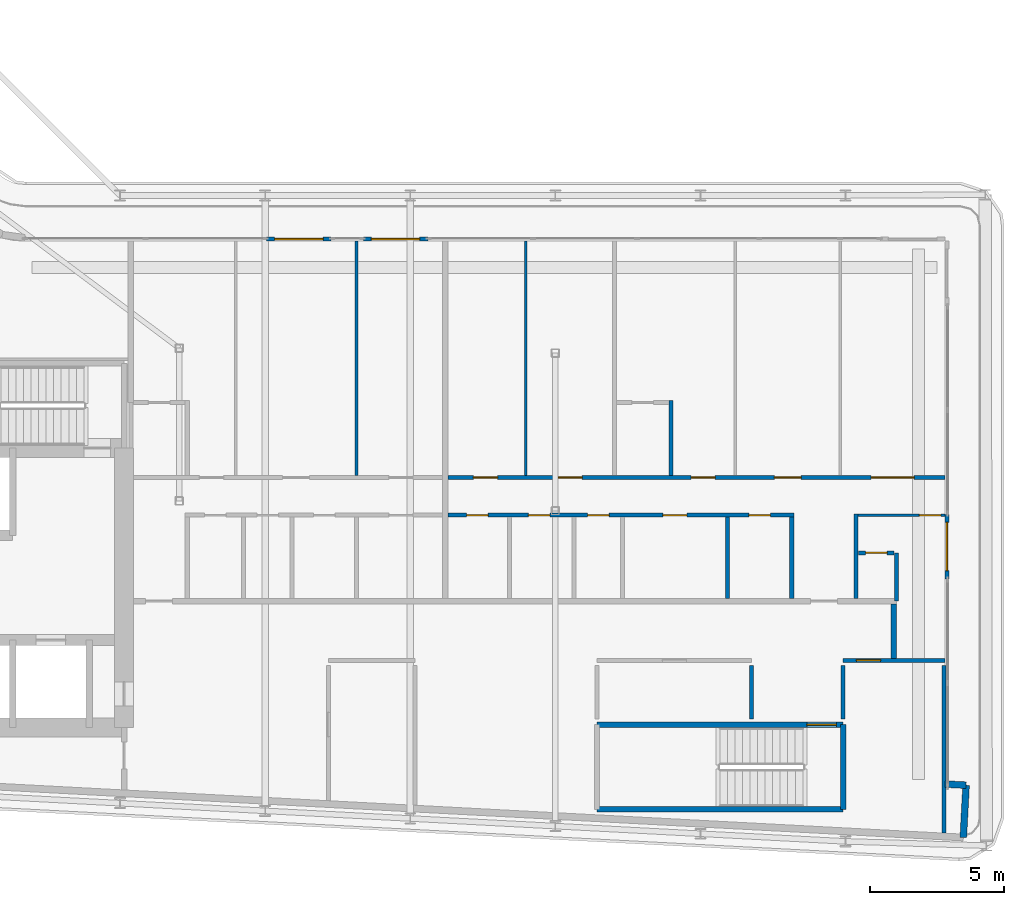
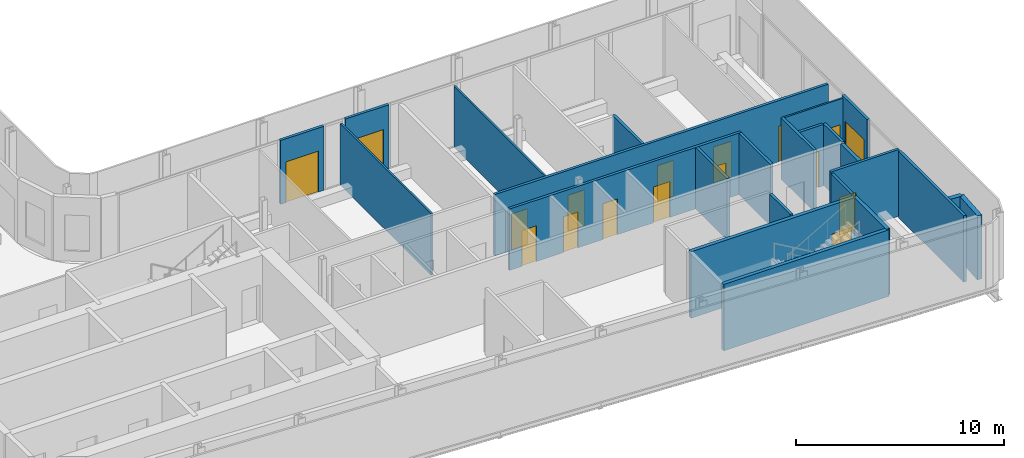
# One storey, part 12 of 23: 24 walls, 17 doors, 17 openings.
"""IFC4 building model written with IfcOpenShell, lengths in metres."""

from ifc_helpers import new_model, si_unit, direction, frame, frame_2d, origin, place, context, subcontext, project, spatial, rectangle, extrude, source, transform, mapped, material, layer, layer_set, type_object, element, fill, save


model = new_model("IFC4")

# Units and contexts
model_context = context("Model", 3, precision=1e-05, world=origin(), true_north=direction((0.0, 1.0)))
body_context = subcontext(model_context, "Body", "Model", "MODEL_VIEW")
ifc_project = project(units=[si_unit("LENGTHUNIT", "METRE"), si_unit("AREAUNIT", "SQUARE_METRE"), si_unit("VOLUMEUNIT", "CUBIC_METRE"), si_unit("PLANEANGLEUNIT", "RADIAN"), si_unit("MASSUNIT", "GRAM", prefix="KILO")], contexts=[model_context])

# Site, building, storey
site_placement = place(None, origin())
site = spatial("IfcSite", under=ifc_project, at=site_placement, CompositionType="ELEMENT")
building_placement = place(site_placement, origin())
building = spatial("IfcBuilding", under=site, at=building_placement, Name="Kheshtan School and Residences Tower", CompositionType="ELEMENT")
storey_placement = place(building_placement, frame((0.0, 0.0, 259.10009765625)))
storey = spatial("IfcBuildingStorey", under=building, at=storey_placement, Name="L61", CompositionType="ELEMENT", Elevation=259.10009765625)

# Walls
ifc_material_1 = material(Name="Gypsum board on steel studs with fire boards", Category="steel")
ifc_layer_1 = layer(ifc_material_1, 0.199951171875)
ifc_layer_set_1 = layer_set([ifc_layer_1], Name="Corridor wall 200")
wall_type_1 = type_object("IfcWallType", Name="Corridor wall 200", PredefinedType="PARTITIONING", material=ifc_layer_set_1)
wall_1_placement = place(storey_placement, frame((81.800048828125, 28.3740234375, 0.0), z_axis=(0.0, 0.0, 1.0), x_axis=(0.0, 1.0, 0.0)))
element("IfcWall", 1, at=wall_1_placement, inside=storey, type_object=wall_type_1, Name="Partition L61-061", PredefinedType="PARTITIONING", context=body_context, shape_type="SweptSolid", body=[
    extrude(rectangle(XDim=2.02587890625, YDim=0.199951171875, at=frame_2d((1.012939453125, 0.0))), origin(), (0.0, 0.0, 1.0), 3.599853515625),
])
ifc_material_2 = material(Name="Concrete C40/50 with ceramic cladding and mineral wool insulation", Category="concrete")
ifc_layer_2 = layer(ifc_material_2, 0.25)
ifc_layer_set_2 = layer_set([ifc_layer_2], Name="External wall 250 ceramic clad")
wall_type_2 = type_object("IfcWallType", Name="External wall 250 ceramic clad", PredefinedType="SOLIDWALL", material=ifc_layer_set_2)
wall_2_placement = place(storey_placement, frame((83.70703125, 23.69189453125, 0.0), z_axis=(0.0, 0.0, 1.0), x_axis=(0.998561284263, -0.053622398031, 0.0)))
element("IfcWall", 2, at=wall_2_placement, inside=storey, type_object=wall_type_2, Name="External wall L61 14", PredefinedType="SOLIDWALL", context=body_context, shape_type="SweptSolid", body=[
    extrude(rectangle(XDim=0.783203125, YDim=0.25, at=frame_2d((0.3916015625, 0.0))), origin(), (0.0, 0.0, 1.0), 3.75),
])
wall_3_placement = place(storey_placement, frame((84.489013671875, 23.64990234375, 0.0), z_axis=(0.0, 0.0, 1.0), x_axis=(-0.052841433274, -0.998602915542, 0.0)))
element("IfcWall", 3, at=wall_3_placement, inside=storey, type_object=wall_type_2, Name="External wall L61 15", PredefinedType="SOLIDWALL", context=body_context, shape_type="SweptSolid", body=[
    extrude(rectangle(XDim=1.94970703125, YDim=0.25, at=frame_2d((0.974853515625, 0.0))), origin(), (0.0, 0.0, 1.0), 3.75),
])

# Wall, opening, door
ifc_material_3 = material(Name="Aluminium frame wall with insulated infill", Category="aluminium")
ifc_layer_3 = layer(ifc_material_3, 0.14990234375)
ifc_layer_set_3 = layer_set([ifc_layer_3], Name="Glazing frame wall 150")
wall_type_3 = type_object("IfcWallType", Name="Glazing frame wall 150", PredefinedType="SOLIDWALL", material=ifc_layer_set_3)
wall_4_placement = place(storey_placement, frame((58.452880859375, 43.97509765625, 0.0), z_axis=(0.0, 0.0, 1.0), x_axis=(1.0, 0.0, 0.0)))
wall_4 = element("IfcWall", 4, at=wall_4_placement, inside=storey, type_object=wall_type_3, Name="Balcony door wall L61 12.1", PredefinedType="SOLIDWALL", context=body_context, shape_type="SweptSolid", body=[
    extrude(rectangle(XDim=2.400146484375, YDim=0.14990234375, at=frame_2d((1.2001953125, 0.0))), origin(), (0.0, 0.0, 1.0), 3.75),
])
opening_1_placement = place(wall_4_placement, frame((0.300048828125, 0.0, 0.0)))
opening_1 = element("IfcOpeningElement", 5, at=opening_1_placement, cuts=wall_4, Name="Opening BD", PredefinedType="OPENING", context=body_context, shape_type="SweptSolid", body=[
    extrude(rectangle(XDim=1.800048828125, YDim=2.39990234375, at=frame_2d((0.89990234375, 1.199951171875))), frame((0.0, 0.0849609375, 0.0), z_axis=(0.0, -1.0, 0.0), x_axis=(1.0, 0.0, 0.0)), (0.0, 0.0, 1.0), 0.169921875),
])
ifc_material_4 = material(Name="Clear low-e glass in thermally broken aluminium frame", Category="aluminium")
door_type_1 = type_object("IfcDoorType", Name="Balcony sliding door", OperationType="SLIDING_TO_LEFT", PredefinedType="DOOR", material=ifc_material_4)
shared_shape_1 = source(origin(), body_context, "Body", "SweptSolid", [
    extrude(rectangle(XDim=1.800048828125, YDim=2.39990234375, at=frame_2d((0.89990234375, 1.199951171875))), frame((0.0, 0.02490234375, 0.0), z_axis=(0.0, -1.0, 0.0), x_axis=(1.0, 0.0, 0.0)), (0.0, 0.0, 1.0), 0.050048828125),
])
door_1_placement = place(opening_1_placement, origin())
door_1 = element("IfcDoor", 6, at=door_1_placement, inside=storey, type_object=door_type_1, Name="Balcony door L61 12.1", OperationType="SLIDING_TO_LEFT", OverallHeight=2.39990234375, OverallWidth=1.800048828125, PredefinedType="DOOR", context=body_context, shape_type="MappedRepresentation", body=[
    mapped(shared_shape_1, transform((0.0, 0.0, 0.0), x_axis=(1.0, 0.0, 0.0), y_axis=(0.0, 1.0, 0.0), z_axis=(0.0, 0.0, 1.0), scale=1.0)),
])
fill(opening_1, door_1)

wall_5_placement = place(storey_placement, frame((62.052978515625, 43.97509765625, 0.0), z_axis=(0.0, 0.0, 1.0), x_axis=(1.0, 0.0, 0.0)))
wall_5 = element("IfcWall", 7, at=wall_5_placement, inside=storey, type_object=wall_type_3, Name="Balcony door wall L61 12.2", PredefinedType="SOLIDWALL", context=body_context, shape_type="SweptSolid", body=[
    extrude(rectangle(XDim=2.39990234375, YDim=0.14990234375, at=frame_2d((1.199951171875, 0.0))), origin(), (0.0, 0.0, 1.0), 3.75),
])
opening_2_placement = place(wall_5_placement, frame((0.300048828125, 0.0, 0.0)))
opening_2 = element("IfcOpeningElement", 8, at=opening_2_placement, cuts=wall_5, Name="Opening BD", PredefinedType="OPENING", context=body_context, shape_type="SweptSolid", body=[
    extrude(rectangle(XDim=1.800048828125, YDim=2.39990234375, at=frame_2d((0.89990234375, 1.199951171875))), frame((0.0, 0.0849609375, 0.0), z_axis=(0.0, -1.0, 0.0), x_axis=(1.0, 0.0, 0.0)), (0.0, 0.0, 1.0), 0.169921875),
])
door_2_placement = place(opening_2_placement, origin())
door_2 = element("IfcDoor", 9, at=door_2_placement, inside=storey, type_object=door_type_1, Name="Balcony door L61 12.2", OperationType="SLIDING_TO_LEFT", OverallHeight=2.39990234375, OverallWidth=1.800048828125, PredefinedType="DOOR", context=body_context, shape_type="MappedRepresentation", body=[
    mapped(shared_shape_1, transform((0.0, 0.0, 0.0), x_axis=(1.0, 0.0, 0.0), y_axis=(0.0, 1.0, 0.0), z_axis=(0.0, 0.0, 1.0), scale=1.0)),
])
fill(opening_2, door_2)

wall_6_placement = place(storey_placement, frame((83.77490234375, 33.73291015625, 0.0), z_axis=(0.0, 0.0, 1.0), x_axis=(0.0, -1.0, 0.0)))
wall_6 = element("IfcWall", 10, at=wall_6_placement, inside=storey, type_object=wall_type_3, Name="Balcony door wall L61 13.2", PredefinedType="SOLIDWALL", context=body_context, shape_type="SweptSolid", body=[
    extrude(rectangle(XDim=2.39892578125, YDim=0.14990234375, at=frame_2d((1.199462890625, 0.0))), origin(), (0.0, 0.0, 1.0), 3.75),
])
opening_3_placement = place(wall_6_placement, frame((0.300048828125, 0.0, 0.0)))
opening_3 = element("IfcOpeningElement", 11, at=opening_3_placement, cuts=wall_6, Name="Opening BD", PredefinedType="OPENING", context=body_context, shape_type="SweptSolid", body=[
    extrude(rectangle(XDim=1.800048828125, YDim=2.39990234375, at=frame_2d((0.89990234375, 1.199951171875))), frame((0.0, 0.0849609375, 0.0), z_axis=(0.0, -1.0, 0.0), x_axis=(1.0, 0.0, 0.0)), (0.0, 0.0, 1.0), 0.169921875),
])
door_3_placement = place(opening_3_placement, origin())
door_3 = element("IfcDoor", 12, at=door_3_placement, inside=storey, type_object=door_type_1, Name="Balcony door L61 13.2", OperationType="SLIDING_TO_LEFT", OverallHeight=2.39990234375, OverallWidth=1.800048828125, PredefinedType="DOOR", context=body_context, shape_type="MappedRepresentation", body=[
    mapped(shared_shape_1, transform((0.0, 0.0, 0.0), x_axis=(1.0, 0.0, 0.0), y_axis=(0.0, 1.0, 0.0), z_axis=(0.0, 0.0, 1.0), scale=1.0)),
])
fill(opening_3, door_3)

# Walls
ifc_material_5 = material(Name="Gypsum board on steel studs", Category="steel")
ifc_layer_4 = layer(ifc_material_5, 0.10009765625)
ifc_layer_set_4 = layer_set([ifc_layer_4], Name="Gypsum partition 100")
wall_type_4 = type_object("IfcWallType", Name="Gypsum partition 100", PredefinedType="PARTITIONING", material=ifc_layer_set_4)
for number, where, z_axis, x_axis, name in (
    (13, (61.800048828125, 35.175048828125, 0.0), (0.0, 0.0, 1.0), (0.0, 1.0, 0.0), "Partition L61-043"),
    (14, (68.10009765625, 35.175048828125, 0.0), (0.0, 0.0, 1.0), (0.0, 1.0, 0.0), "Partition L61-048"),
):
    element("IfcWall", number, at=place(storey_placement, frame(where, z_axis=z_axis, x_axis=x_axis)), inside=storey, type_object=wall_type_4, Name=name, PredefinedType="PARTITIONING", context=body_context, shape_type="SweptSolid", body=[
        extrude(rectangle(XDim=8.724853515625, YDim=0.10009765625, at=frame_2d((4.3623046875, 0.0))), origin(), (0.0, 0.0, 1.0), 3.599853515625),
    ])

# Wall, opening, door
wall_7_placement = place(storey_placement, frame((80.47509765625, 33.699951171875, 0.0), z_axis=(0.0, 0.0, 1.0), x_axis=(1.0, 0.0, 0.0)))
wall_7 = element("IfcWall", 15, at=wall_7_placement, inside=storey, type_object=wall_type_4, Name="Partition L61-060", PredefinedType="PARTITIONING", context=body_context, shape_type="SweptSolid", body=[
    extrude(rectangle(XDim=3.224853515625, YDim=0.10009765625, at=frame_2d((1.6123046875, 0.0))), origin(), (0.0, 0.0, 1.0), 3.599853515625),
])
opening_4_placement = place(wall_7_placement, frame((2.27490234375, 0.0, 0.0)))
opening_4 = element("IfcOpeningElement", 16, at=opening_4_placement, cuts=wall_7, Name="Opening D61-019", PredefinedType="OPENING", context=body_context, shape_type="SweptSolid", body=[
    extrude(rectangle(XDim=0.800048828125, YDim=2.10009765625, at=frame_2d((0.39990234375, 1.050048828125))), frame((0.0, 0.06005859375, 0.0), z_axis=(0.0, -1.0, 0.0), x_axis=(1.0, 0.0, 0.0)), (0.0, 0.0, 1.0), 0.1201171875),
])
ifc_material_6 = material(Name="Veneered timber door leaf", Category="wood")
door_type_2 = type_object("IfcDoorType", Name="Door 800 x 2100", OperationType="SINGLE_SWING_LEFT", PredefinedType="DOOR", material=ifc_material_6)
shared_shape_2 = source(origin(), body_context, "Body", "SweptSolid", [
    extrude(rectangle(XDim=0.800048828125, YDim=2.10009765625, at=frame_2d((0.39990234375, 1.050048828125))), frame((0.0, 0.02490234375, 0.0), z_axis=(0.0, -1.0, 0.0), x_axis=(1.0, 0.0, 0.0)), (0.0, 0.0, 1.0), 0.050048828125),
])
door_4_placement = place(opening_4_placement, origin())
door_4 = element("IfcDoor", 17, at=door_4_placement, inside=storey, type_object=door_type_2, Name="Door D61-019", OperationType="SINGLE_SWING_LEFT", OverallHeight=2.10009765625, OverallWidth=0.800048828125, PredefinedType="DOOR", context=body_context, shape_type="MappedRepresentation", body=[
    mapped(shared_shape_2, transform((0.0, 0.0, 0.0), x_axis=(1.0, 0.0, 0.0), y_axis=(0.0, 1.0, 0.0), z_axis=(0.0, 0.0, 1.0), scale=1.0)),
])
fill(opening_4, door_4)

# Wall
ifc_material_7 = material(Name="Fire-board shaft wall system")
ifc_layer_5 = layer(ifc_material_7, 0.14990234375)
ifc_layer_set_5 = layer_set([ifc_layer_5], Name="Service room wall 150")
wall_type_5 = type_object("IfcWallType", Name="Service room wall 150", PredefinedType="PARTITIONING", material=ifc_layer_set_5)
wall_8_placement = place(storey_placement, frame((76.510009765625, 26.1201171875, 0.0), z_axis=(0.0, 0.0, 1.0), x_axis=(0.0, 1.0, 0.0)))
element("IfcWall", 18, at=wall_8_placement, inside=storey, type_object=wall_type_5, Name="Service room wall", PredefinedType="PARTITIONING", context=body_context, shape_type="SweptSolid", body=[
    extrude(rectangle(XDim=1.98486328125, YDim=0.14990234375, at=frame_2d((0.992431640625, 0.0))), origin(), (0.0, 0.0, 1.0), 3.89990234375),
])

# Wall, opening, door
wall_9_placement = place(storey_placement, frame((79.909912109375, 28.300048828125, 0.0), z_axis=(0.0, 0.0, 1.0), x_axis=(1.0, 0.0, 0.0)))
wall_9 = element("IfcWall", 19, at=wall_9_placement, inside=storey, type_object=wall_type_5, Name="Service room wall", PredefinedType="PARTITIONING", context=body_context, shape_type="SweptSolid", body=[
    extrude(rectangle(XDim=3.7880859375, YDim=0.14990234375, at=frame_2d((1.89404296875, 0.0))), origin(), (0.0, 0.0, 1.0), 3.89990234375),
])
opening_5_placement = place(wall_9_placement, frame((0.4951171875, 0.0, 0.0)))
opening_5 = element("IfcOpeningElement", 20, at=opening_5_placement, cuts=wall_9, Name="Opening SR90", PredefinedType="OPENING", context=body_context, shape_type="SweptSolid", body=[
    extrude(rectangle(XDim=0.89990234375, YDim=2.199951171875, at=frame_2d((0.449951171875, 1.10009765625))), frame((0.0, 0.0849609375, 0.0), z_axis=(0.0, -1.0, 0.0), x_axis=(1.0, 0.0, 0.0)), (0.0, 0.0, 1.0), 0.169921875),
])
ifc_material_8 = material(Name="Steel door leaf, galvanised", Category="steel")
door_type_3 = type_object("IfcDoorType", Name="Service room door 900 steel 90 min", OperationType="SINGLE_SWING_LEFT", PredefinedType="DOOR", material=ifc_material_8)
shared_shape_3 = source(origin(), body_context, "Body", "SweptSolid", [
    extrude(rectangle(XDim=0.89990234375, YDim=2.199951171875, at=frame_2d((0.449951171875, 1.10009765625))), frame((0.0, 0.02490234375, 0.0), z_axis=(0.0, -1.0, 0.0), x_axis=(1.0, 0.0, 0.0)), (0.0, 0.0, 1.0), 0.050048828125),
])
door_5_placement = place(opening_5_placement, origin())
door_5 = element("IfcDoor", 21, at=door_5_placement, inside=storey, type_object=door_type_3, Name="Service room door", OperationType="SINGLE_SWING_RIGHT", OverallHeight=2.199951171875, OverallWidth=0.89990234375, PredefinedType="DOOR", context=body_context, shape_type="MappedRepresentation", body=[
    mapped(shared_shape_3, transform((0.0, 0.0, 0.0), x_axis=(1.0, 0.0, 0.0), y_axis=(0.0, 1.0, 0.0), z_axis=(0.0, 0.0, 1.0), scale=1.0)),
])
fill(opening_5, door_5)

# Walls
wall_10_placement = place(storey_placement, frame((79.909912109375, 26.1201171875, 0.0), z_axis=(0.0, 0.0, 1.0), x_axis=(0.0, 1.0, 0.0)))
element("IfcWall", 22, at=wall_10_placement, inside=storey, type_object=wall_type_5, Name="Service room wall", PredefinedType="PARTITIONING", context=body_context, shape_type="SweptSolid", body=[
    extrude(rectangle(XDim=1.98486328125, YDim=0.14990234375, at=frame_2d((0.992431640625, 0.0))), origin(), (0.0, 0.0, 1.0), 3.89990234375),
])
wall_11_placement = place(storey_placement, frame((83.669921875, 21.867919921875, 0.0), z_axis=(0.0, 0.0, 1.0), x_axis=(0.0, 1.0, 0.0)))
element("IfcWall", 23, at=wall_11_placement, inside=storey, type_object=wall_type_5, Name="Service room wall", PredefinedType="PARTITIONING", context=body_context, shape_type="SweptSolid", body=[
    extrude(rectangle(XDim=6.237060546875, YDim=0.14990234375, at=frame_2d((3.11865234375, 0.0))), origin(), (0.0, 0.0, 1.0), 3.89990234375),
])
ifc_material_9 = material(Name="Concrete C40/50", Category="concrete")
ifc_layer_6 = layer(ifc_material_9, 0.199951171875)
ifc_layer_set_6 = layer_set([ifc_layer_6], Name="Stair enclosure wall 200 Concrete C40/50")
wall_type_6 = type_object("IfcWallType", Name="Stair enclosure wall 200 Concrete C40/50", PredefinedType="SHEAR", material=ifc_layer_set_6)
wall_12_placement = place(storey_placement, frame((70.75, 22.75, 0.0), z_axis=(0.0, 0.0, 1.0), x_axis=(1.0, 0.0, 0.0)))
element("IfcWall", 24, at=wall_12_placement, inside=storey, type_object=wall_type_6, Name="Stair enclosure wall ST5", PredefinedType="SHEAR", context=body_context, shape_type="SweptSolid", body=[
    extrude(rectangle(XDim=9.159912109375, YDim=0.199951171875, at=frame_2d((4.580078125, 0.0))), origin(), (0.0, 0.0, 1.0), 3.89990234375),
])

# Wall, opening, door
wall_13_placement = place(storey_placement, frame((70.75, 25.89990234375, 0.0), z_axis=(0.0, 0.0, 1.0), x_axis=(1.0, 0.0, 0.0)))
wall_13 = element("IfcWall", 25, at=wall_13_placement, inside=storey, type_object=wall_type_6, Name="Stair enclosure wall ST5", PredefinedType="SHEAR", context=body_context, shape_type="SweptSolid", body=[
    extrude(rectangle(XDim=9.159912109375, YDim=0.199951171875, at=frame_2d((4.580078125, 0.0))), origin(), (0.0, 0.0, 1.0), 3.89990234375),
])
opening_6_placement = place(wall_13_placement, frame((7.81005859375, 0.0, 0.0)))
opening_6 = element("IfcOpeningElement", 26, at=opening_6_placement, cuts=wall_13, Name="Opening ST5D", PredefinedType="OPENING", context=body_context, shape_type="SweptSolid", body=[
    extrude(rectangle(XDim=1.10009765625, YDim=2.199951171875, at=frame_2d((0.550048828125, 1.10009765625))), frame((0.0, 0.10986328125, 0.0), z_axis=(0.0, -1.0, 0.0), x_axis=(1.0, 0.0, 0.0)), (0.0, 0.0, 1.0), 0.219970703125),
])
door_type_4 = type_object("IfcDoorType", Name="Stair door 1100 steel 90 min", OperationType="SINGLE_SWING_LEFT", PredefinedType="DOOR", material=ifc_material_8)
shared_shape_4 = source(origin(), body_context, "Body", "SweptSolid", [
    extrude(rectangle(XDim=1.10009765625, YDim=2.199951171875, at=frame_2d((0.550048828125, 1.10009765625))), frame((0.0, 0.02490234375, 0.0), z_axis=(0.0, -1.0, 0.0), x_axis=(1.0, 0.0, 0.0)), (0.0, 0.0, 1.0), 0.050048828125),
])
door_6_placement = place(opening_6_placement, origin())
door_6 = element("IfcDoor", 27, at=door_6_placement, inside=storey, type_object=door_type_4, Name="Stair ST5 door", OperationType="SINGLE_SWING_LEFT", OverallHeight=2.199951171875, OverallWidth=1.10009765625, PredefinedType="DOOR", context=body_context, shape_type="MappedRepresentation", body=[
    mapped(shared_shape_4, transform((0.0, 0.0, 0.0), x_axis=(1.0, 0.0, 0.0), y_axis=(0.0, 1.0, 0.0), z_axis=(0.0, 0.0, 1.0), scale=1.0)),
])
fill(opening_6, door_6)

# Wall
wall_14_placement = place(storey_placement, frame((79.909912109375, 22.75, 0.0), z_axis=(0.0, 0.0, 1.0), x_axis=(0.0, 1.0, 0.0)))
element("IfcWall", 28, at=wall_14_placement, inside=storey, type_object=wall_type_6, Name="Stair enclosure wall ST5", PredefinedType="SHEAR", context=body_context, shape_type="SweptSolid", body=[
    extrude(rectangle(XDim=3.14990234375, YDim=0.199951171875, at=frame_2d((1.574951171875, 0.0))), origin(), (0.0, 0.0, 1.0), 3.89990234375),
])

# Wall, openings, doors
ifc_material_10 = material(Name="Moisture-resistant gypsum board on steel studs", Category="steel")
ifc_layer_7 = layer(ifc_material_10, 0.14990234375)
ifc_layer_set_7 = layer_set([ifc_layer_7], Name="Wet-room partition 150")
wall_type_7 = type_object("IfcWallType", Name="Wet-room partition 150", PredefinedType="PARTITIONING", material=ifc_layer_set_7)
wall_15_placement = place(storey_placement, frame((65.199951171875, 33.699951171875, 0.0), z_axis=(0.0, 0.0, 1.0), x_axis=(1.0, 0.0, 0.0)))
wall_15 = element("IfcWall", 29, at=wall_15_placement, inside=storey, type_object=wall_type_7, Name="Partition L61-045", PredefinedType="PARTITIONING", context=body_context, shape_type="SweptSolid", body=[
    extrude(rectangle(XDim=12.875, YDim=0.14990234375, at=frame_2d((6.4375, 0.0))), origin(), (0.0, 0.0, 1.0), 3.599853515625),
])
opening_7_placement = place(wall_15_placement, frame((3.0, 0.0, 0.0)))
opening_7 = element("IfcOpeningElement", 30, at=opening_7_placement, cuts=wall_15, Name="Opening D61-010", PredefinedType="OPENING", context=body_context, shape_type="SweptSolid", body=[
    extrude(rectangle(XDim=0.800048828125, YDim=2.10009765625, at=frame_2d((0.39990234375, 1.050048828125))), frame((0.0, 0.0849609375, 0.0), z_axis=(0.0, -1.0, 0.0), x_axis=(1.0, 0.0, 0.0)), (0.0, 0.0, 1.0), 0.169921875),
])
opening_8_placement = place(wall_15_placement, frame((11.199951171875, 0.0, 0.0)))
opening_8 = element("IfcOpeningElement", 31, at=opening_8_placement, cuts=wall_15, Name="Opening D61-011", PredefinedType="OPENING", context=body_context, shape_type="SweptSolid", body=[
    extrude(rectangle(XDim=0.800048828125, YDim=2.10009765625, at=frame_2d((0.39990234375, 1.050048828125))), frame((0.0, 0.0849609375, 0.0), z_axis=(0.0, -1.0, 0.0), x_axis=(1.0, 0.0, 0.0)), (0.0, 0.0, 1.0), 0.169921875),
])
opening_9_placement = place(wall_15_placement, frame((0.699951171875, 0.0, 0.0)))
opening_9 = element("IfcOpeningElement", 32, at=opening_9_placement, cuts=wall_15, Name="Opening D61-014", PredefinedType="OPENING", context=body_context, shape_type="SweptSolid", body=[
    extrude(rectangle(XDim=0.800048828125, YDim=2.10009765625, at=frame_2d((0.39990234375, 1.050048828125))), frame((0.0, 0.0849609375, 0.0), z_axis=(0.0, -1.0, 0.0), x_axis=(1.0, 0.0, 0.0)), (0.0, 0.0, 1.0), 0.169921875),
])
opening_10_placement = place(wall_15_placement, frame((8.0, 0.0, 0.0)))
opening_10 = element("IfcOpeningElement", 33, at=opening_10_placement, cuts=wall_15, Name="Opening D61-017", PredefinedType="OPENING", context=body_context, shape_type="SweptSolid", body=[
    extrude(rectangle(XDim=0.89990234375, YDim=2.10009765625, at=frame_2d((0.449951171875, 1.050048828125))), frame((0.0, 0.0849609375, 0.0), z_axis=(0.0, -1.0, 0.0), x_axis=(1.0, 0.0, 0.0)), (0.0, 0.0, 1.0), 0.169921875),
])
opening_11_placement = place(wall_15_placement, frame((5.199951171875, 0.0, 0.0)))
opening_11 = element("IfcOpeningElement", 34, at=opening_11_placement, cuts=wall_15, Name="Opening D61-023", PredefinedType="OPENING", context=body_context, shape_type="SweptSolid", body=[
    extrude(rectangle(XDim=0.800048828125, YDim=2.10009765625, at=frame_2d((0.39990234375, 1.050048828125))), frame((0.0, 0.0849609375, 0.0), z_axis=(0.0, -1.0, 0.0), x_axis=(1.0, 0.0, 0.0)), (0.0, 0.0, 1.0), 0.169921875),
])
door_7_placement = place(opening_7_placement, origin())
door_7 = element("IfcDoor", 35, at=door_7_placement, inside=storey, type_object=door_type_2, Name="Door D61-010", OperationType="SINGLE_SWING_RIGHT", OverallHeight=2.10009765625, OverallWidth=0.800048828125, PredefinedType="DOOR", context=body_context, shape_type="MappedRepresentation", body=[
    mapped(shared_shape_2, transform((0.0, 0.0, 0.0), x_axis=(1.0, 0.0, 0.0), y_axis=(0.0, 1.0, 0.0), z_axis=(0.0, 0.0, 1.0), scale=1.0)),
])
fill(opening_7, door_7)
door_8_placement = place(opening_8_placement, origin())
door_8 = element("IfcDoor", 36, at=door_8_placement, inside=storey, type_object=door_type_2, Name="Door D61-011", OperationType="SINGLE_SWING_LEFT", OverallHeight=2.10009765625, OverallWidth=0.800048828125, PredefinedType="DOOR", context=body_context, shape_type="MappedRepresentation", body=[
    mapped(shared_shape_2, transform((0.0, 0.0, 0.0), x_axis=(1.0, 0.0, 0.0), y_axis=(0.0, 1.0, 0.0), z_axis=(0.0, 0.0, 1.0), scale=1.0)),
])
fill(opening_8, door_8)
door_9_placement = place(opening_9_placement, origin())
door_9 = element("IfcDoor", 37, at=door_9_placement, inside=storey, type_object=door_type_2, Name="Door D61-014", OperationType="SINGLE_SWING_RIGHT", OverallHeight=2.10009765625, OverallWidth=0.800048828125, PredefinedType="DOOR", context=body_context, shape_type="MappedRepresentation", body=[
    mapped(shared_shape_2, transform((0.0, 0.0, 0.0), x_axis=(1.0, 0.0, 0.0), y_axis=(0.0, 1.0, 0.0), z_axis=(0.0, 0.0, 1.0), scale=1.0)),
])
fill(opening_9, door_9)
door_10_placement = place(opening_11_placement, origin())
door_10 = element("IfcDoor", 38, at=door_10_placement, inside=storey, type_object=door_type_2, Name="Door D61-023", OperationType="SINGLE_SWING_LEFT", OverallHeight=2.10009765625, OverallWidth=0.800048828125, PredefinedType="DOOR", context=body_context, shape_type="MappedRepresentation", body=[
    mapped(shared_shape_2, transform((0.0, 0.0, 0.0), x_axis=(1.0, 0.0, 0.0), y_axis=(0.0, 1.0, 0.0), z_axis=(0.0, 0.0, 1.0), scale=1.0)),
])
fill(opening_11, door_10)
door_type_5 = type_object("IfcDoorType", Name="Door 900 x 2100", OperationType="SINGLE_SWING_LEFT", PredefinedType="DOOR", material=ifc_material_6)
shared_shape_5 = source(origin(), body_context, "Body", "SweptSolid", [
    extrude(rectangle(XDim=0.89990234375, YDim=2.10009765625, at=frame_2d((0.449951171875, 1.050048828125))), frame((0.0, 0.02490234375, 0.0), z_axis=(0.0, -1.0, 0.0), x_axis=(1.0, 0.0, 0.0)), (0.0, 0.0, 1.0), 0.050048828125),
])
door_11_placement = place(opening_10_placement, origin())
door_11 = element("IfcDoor", 39, at=door_11_placement, inside=storey, type_object=door_type_5, Name="Door D61-017", OperationType="SINGLE_SWING_LEFT", OverallHeight=2.10009765625, OverallWidth=0.89990234375, PredefinedType="DOOR", context=body_context, shape_type="MappedRepresentation", body=[
    mapped(shared_shape_5, transform((0.0, 0.0, 0.0), x_axis=(1.0, 0.0, 0.0), y_axis=(0.0, 1.0, 0.0), z_axis=(0.0, 0.0, 1.0), scale=1.0)),
])
fill(opening_10, door_11)

wall_16_placement = place(storey_placement, frame((65.199951171875, 35.10009765625, 0.0), z_axis=(0.0, 0.0, 1.0), x_axis=(1.0, 0.0, 0.0)))
wall_16 = element("IfcWall", 40, at=wall_16_placement, inside=storey, type_object=wall_type_7, Name="Partition L61-046", PredefinedType="PARTITIONING", context=body_context, shape_type="SweptSolid", body=[
    extrude(rectangle(XDim=18.5, YDim=0.14990234375, at=frame_2d((9.25, 0.0))), origin(), (0.0, 0.0, 1.0), 3.599853515625),
])
opening_12_placement = place(wall_16_placement, frame((0.949951171875, 0.0, 0.0)))
opening_12 = element("IfcOpeningElement", 41, at=opening_12_placement, cuts=wall_16, Name="Opening D61-012", PredefinedType="OPENING", context=body_context, shape_type="SweptSolid", body=[
    extrude(rectangle(XDim=0.89990234375, YDim=2.10009765625, at=frame_2d((0.449951171875, 1.050048828125))), frame((0.0, 0.0849609375, 0.0), z_axis=(0.0, -1.0, 0.0), x_axis=(1.0, 0.0, 0.0)), (0.0, 0.0, 1.0), 0.169921875),
])
opening_13_placement = place(wall_16_placement, frame((4.10009765625, 0.0, 0.0)))
opening_13 = element("IfcOpeningElement", 42, at=opening_13_placement, cuts=wall_16, Name="Opening D61-013", PredefinedType="OPENING", context=body_context, shape_type="SweptSolid", body=[
    extrude(rectangle(XDim=0.89990234375, YDim=2.10009765625, at=frame_2d((0.449951171875, 1.050048828125))), frame((0.0, 0.0849609375, 0.0), z_axis=(0.0, -1.0, 0.0), x_axis=(1.0, 0.0, 0.0)), (0.0, 0.0, 1.0), 0.169921875),
])
opening_14_placement = place(wall_16_placement, frame((12.14990234375, 0.0, 0.0)))
opening_14 = element("IfcOpeningElement", 43, at=opening_14_placement, cuts=wall_16, Name="Opening D61-018", PredefinedType="OPENING", context=body_context, shape_type="SweptSolid", body=[
    extrude(rectangle(XDim=1.0, YDim=2.10009765625, at=frame_2d((0.5, 1.050048828125))), frame((0.0, 0.0849609375, 0.0), z_axis=(0.0, -1.0, 0.0), x_axis=(1.0, 0.0, 0.0)), (0.0, 0.0, 1.0), 0.169921875),
])
opening_15_placement = place(wall_16_placement, frame((15.75, 0.0, 0.0)))
opening_15 = element("IfcOpeningElement", 44, at=opening_15_placement, cuts=wall_16, Name="Opening D61-021", PredefinedType="OPENING", context=body_context, shape_type="SweptSolid", body=[
    extrude(rectangle(XDim=1.60009765625, YDim=2.10009765625, at=frame_2d((0.800048828125, 1.050048828125))), frame((0.0, 0.0849609375, 0.0), z_axis=(0.0, -1.0, 0.0), x_axis=(1.0, 0.0, 0.0)), (0.0, 0.0, 1.0), 0.169921875),
])
opening_16_placement = place(wall_16_placement, frame((9.050048828125, 0.0, 0.0)))
opening_16 = element("IfcOpeningElement", 45, at=opening_16_placement, cuts=wall_16, Name="Opening D61-022", PredefinedType="OPENING", context=body_context, shape_type="SweptSolid", body=[
    extrude(rectangle(XDim=0.89990234375, YDim=2.10009765625, at=frame_2d((0.449951171875, 1.050048828125))), frame((0.0, 0.0849609375, 0.0), z_axis=(0.0, -1.0, 0.0), x_axis=(1.0, 0.0, 0.0)), (0.0, 0.0, 1.0), 0.169921875),
])
door_type_6 = type_object("IfcDoorType", Name="Door 1000 x 2100", OperationType="SINGLE_SWING_LEFT", PredefinedType="DOOR", material=ifc_material_6)
shared_shape_6 = source(origin(), body_context, "Body", "SweptSolid", [
    extrude(rectangle(XDim=1.0, YDim=2.10009765625, at=frame_2d((0.5, 1.050048828125))), frame((0.0, 0.02490234375, 0.0), z_axis=(0.0, -1.0, 0.0), x_axis=(1.0, 0.0, 0.0)), (0.0, 0.0, 1.0), 0.050048828125),
])
door_12_placement = place(opening_14_placement, origin())
door_12 = element("IfcDoor", 46, at=door_12_placement, inside=storey, type_object=door_type_6, Name="Door D61-018", OperationType="SINGLE_SWING_LEFT", OverallHeight=2.10009765625, OverallWidth=1.0, PredefinedType="DOOR", context=body_context, shape_type="MappedRepresentation", body=[
    mapped(shared_shape_6, transform((0.0, 0.0, 0.0), x_axis=(1.0, 0.0, 0.0), y_axis=(0.0, 1.0, 0.0), z_axis=(0.0, 0.0, 1.0), scale=1.0)),
])
fill(opening_14, door_12)
door_13_placement = place(opening_12_placement, origin())
door_13 = element("IfcDoor", 47, at=door_13_placement, inside=storey, type_object=door_type_5, Name="Door D61-012", OperationType="SINGLE_SWING_RIGHT", OverallHeight=2.10009765625, OverallWidth=0.89990234375, PredefinedType="DOOR", context=body_context, shape_type="MappedRepresentation", body=[
    mapped(shared_shape_5, transform((0.0, 0.0, 0.0), x_axis=(1.0, 0.0, 0.0), y_axis=(0.0, 1.0, 0.0), z_axis=(0.0, 0.0, 1.0), scale=1.0)),
])
fill(opening_12, door_13)
door_14_placement = place(opening_13_placement, origin())
door_14 = element("IfcDoor", 48, at=door_14_placement, inside=storey, type_object=door_type_5, Name="Door D61-013", OperationType="SINGLE_SWING_LEFT", OverallHeight=2.10009765625, OverallWidth=0.89990234375, PredefinedType="DOOR", context=body_context, shape_type="MappedRepresentation", body=[
    mapped(shared_shape_5, transform((0.0, 0.0, 0.0), x_axis=(1.0, 0.0, 0.0), y_axis=(0.0, 1.0, 0.0), z_axis=(0.0, 0.0, 1.0), scale=1.0)),
])
fill(opening_13, door_14)
door_15_placement = place(opening_16_placement, origin())
door_15 = element("IfcDoor", 49, at=door_15_placement, inside=storey, type_object=door_type_5, Name="Door D61-022", OperationType="SINGLE_SWING_LEFT", OverallHeight=2.10009765625, OverallWidth=0.89990234375, PredefinedType="DOOR", context=body_context, shape_type="MappedRepresentation", body=[
    mapped(shared_shape_5, transform((0.0, 0.0, 0.0), x_axis=(1.0, 0.0, 0.0), y_axis=(0.0, 1.0, 0.0), z_axis=(0.0, 0.0, 1.0), scale=1.0)),
])
fill(opening_16, door_15)
door_type_7 = type_object("IfcDoorType", Name="Double door 1600 x 2100", OperationType="DOUBLE_DOOR_SINGLE_SWING", PredefinedType="DOOR", material=ifc_material_6)
shared_shape_7 = source(origin(), body_context, "Body", "SweptSolid", [
    extrude(rectangle(XDim=1.60009765625, YDim=2.10009765625, at=frame_2d((0.800048828125, 1.050048828125))), frame((0.0, 0.02490234375, 0.0), z_axis=(0.0, -1.0, 0.0), x_axis=(1.0, 0.0, 0.0)), (0.0, 0.0, 1.0), 0.050048828125),
])
door_16_placement = place(opening_15_placement, origin())
door_16 = element("IfcDoor", 50, at=door_16_placement, inside=storey, type_object=door_type_7, Name="Door D61-021", OperationType="DOUBLE_DOOR_SINGLE_SWING", OverallHeight=2.10009765625, OverallWidth=1.60009765625, PredefinedType="DOOR", context=body_context, shape_type="MappedRepresentation", body=[
    mapped(shared_shape_7, transform((0.0, 0.0, 0.0), x_axis=(1.0, 0.0, 0.0), y_axis=(0.0, 1.0, 0.0), z_axis=(0.0, 0.0, 1.0), scale=1.0)),
])
fill(opening_15, door_16)

# Walls
wall_17_placement = place(storey_placement, frame((73.5, 35.175048828125, 0.0), z_axis=(0.0, 0.0, 1.0), x_axis=(0.0, 1.0, 0.0)))
element("IfcWall", 51, at=wall_17_placement, inside=storey, type_object=wall_type_7, Name="Partition L61-053", PredefinedType="PARTITIONING", context=body_context, shape_type="SweptSolid", body=[
    extrude(rectangle(XDim=2.800048828125, YDim=0.14990234375, at=frame_2d((1.39990234375, 0.0))), origin(), (0.0, 0.0, 1.0), 3.599853515625),
])
for number, where, z_axis, x_axis, name in (
    (52, (75.60009765625, 30.60009765625, 0.0), (0.0, 0.0, 1.0), (0.0, 1.0, 0.0), "Partition L61-054"),
    (53, (78.0, 30.60009765625, 0.0), (0.0, 0.0, 1.0), (0.0, 1.0, 0.0), "Partition L61-056"),
):
    element("IfcWall", number, at=place(storey_placement, frame(where, z_axis=z_axis, x_axis=x_axis)), inside=storey, type_object=wall_type_7, Name=name, PredefinedType="PARTITIONING", context=body_context, shape_type="SweptSolid", body=[
        extrude(rectangle(XDim=3.02490234375, YDim=0.14990234375, at=frame_2d((1.512451171875, 0.0))), origin(), (0.0, 0.0, 1.0), 3.599853515625),
    ])
wall_18_placement = place(storey_placement, frame((80.39990234375, 30.60009765625, 0.0), z_axis=(0.0, 0.0, 1.0), x_axis=(0.0, 1.0, 0.0)))
element("IfcWall", 54, at=wall_18_placement, inside=storey, type_object=wall_type_7, Name="Partition L61-058", PredefinedType="PARTITIONING", context=body_context, shape_type="SweptSolid", body=[
    extrude(rectangle(XDim=3.14990234375, YDim=0.14990234375, at=frame_2d((1.574951171875, 0.0))), origin(), (0.0, 0.0, 1.0), 3.599853515625),
])

# Wall, opening, door
wall_19_placement = place(storey_placement, frame((80.47509765625, 32.300048828125, 0.0), z_axis=(0.0, 0.0, 1.0), x_axis=(1.0, 0.0, 0.0)))
wall_19 = element("IfcWall", 55, at=wall_19_placement, inside=storey, type_object=wall_type_7, Name="Partition L61-059", PredefinedType="PARTITIONING", context=body_context, shape_type="SweptSolid", body=[
    extrude(rectangle(XDim=1.324951171875, YDim=0.14990234375, at=frame_2d((0.66259765625, 0.0))), origin(), (0.0, 0.0, 1.0), 3.599853515625),
])
opening_17_placement = place(wall_19_placement, frame((0.27490234375, 0.0, 0.0)))
opening_17 = element("IfcOpeningElement", 56, at=opening_17_placement, cuts=wall_19, Name="Opening D61-020", PredefinedType="OPENING", context=body_context, shape_type="SweptSolid", body=[
    extrude(rectangle(XDim=0.800048828125, YDim=2.10009765625, at=frame_2d((0.39990234375, 1.050048828125))), frame((0.0, 0.0849609375, 0.0), z_axis=(0.0, -1.0, 0.0), x_axis=(1.0, 0.0, 0.0)), (0.0, 0.0, 1.0), 0.169921875),
])
door_17_placement = place(opening_17_placement, origin())
door_17 = element("IfcDoor", 57, at=door_17_placement, inside=storey, type_object=door_type_2, Name="Door D61-020", OperationType="SINGLE_SWING_RIGHT", OverallHeight=2.10009765625, OverallWidth=0.800048828125, PredefinedType="DOOR", context=body_context, shape_type="MappedRepresentation", body=[
    mapped(shared_shape_2, transform((0.0, 0.0, 0.0), x_axis=(1.0, 0.0, 0.0), y_axis=(0.0, 1.0, 0.0), z_axis=(0.0, 0.0, 1.0), scale=1.0)),
])
fill(opening_17, door_17)

# Wall
wall_20_placement = place(storey_placement, frame((81.89990234375, 30.5, 0.0), z_axis=(0.0, 0.0, 1.0), x_axis=(0.0, 1.0, 0.0)))
element("IfcWall", 58, at=wall_20_placement, inside=storey, type_object=wall_type_7, Name="Partition L61-062", PredefinedType="PARTITIONING", context=body_context, shape_type="SweptSolid", body=[
    extrude(rectangle(XDim=1.800048828125, YDim=0.14990234375, at=frame_2d((0.89990234375, 0.0))), origin(), (0.0, 0.0, 1.0), 3.599853515625),
])

save(model, "model.ifc")
